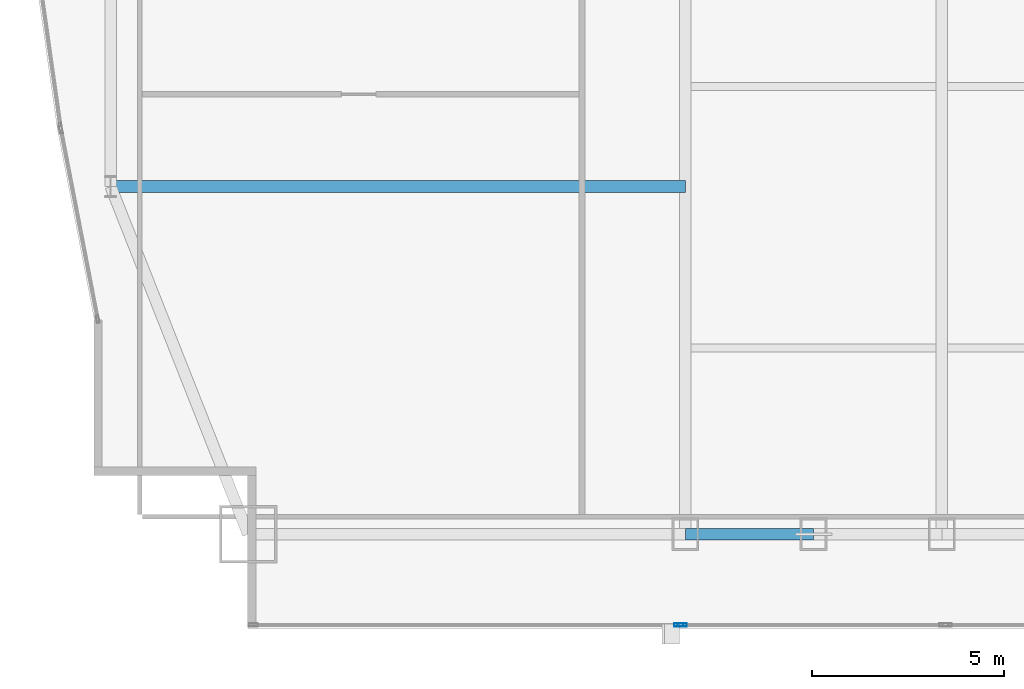
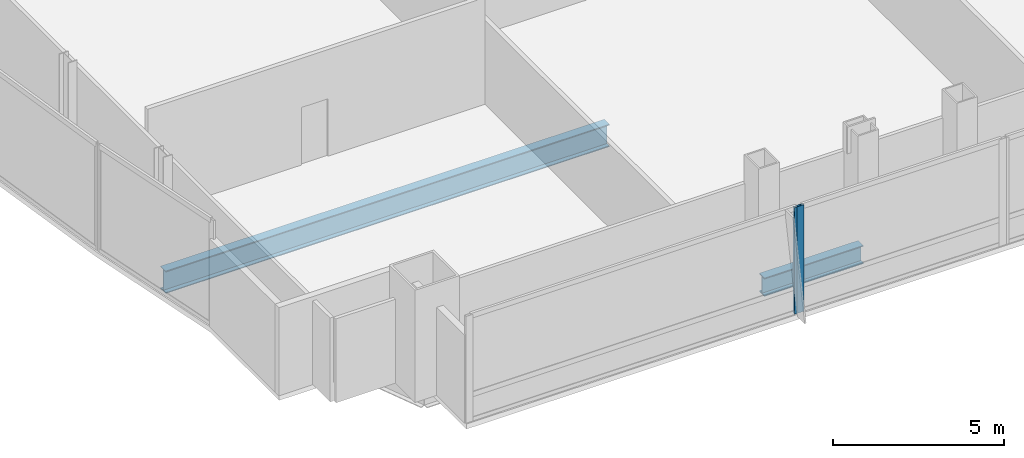
# One storey, part 7 of 34: 2 beams, 2 members, 2 elements without a shape of their own.
"""IFC4 building model written with IfcOpenShell, lengths in metres."""

from ifc_helpers import new_model, si_unit, direction, frame, origin, origin_2d, place, context, subcontext, project, spatial, hollow_rectangle, i_section, extrude, material, material_profile, profile_set, type_object, element, aggregate, save


model = new_model("IFC4")

# Units and contexts
model_context = context("Model", 3, precision=1e-05, world=origin(), true_north=direction((0.0, 1.0)))
body_context = subcontext(model_context, "Body", "Model", "MODEL_VIEW")
ifc_project = project(units=[si_unit("LENGTHUNIT", "METRE"), si_unit("AREAUNIT", "SQUARE_METRE"), si_unit("VOLUMEUNIT", "CUBIC_METRE"), si_unit("PLANEANGLEUNIT", "RADIAN"), si_unit("MASSUNIT", "GRAM", prefix="KILO")], contexts=[model_context])

# Site, building, storey
site_placement = place(None, origin())
site = spatial("IfcSite", under=ifc_project, at=site_placement, CompositionType="ELEMENT")
building_placement = place(site_placement, origin())
building = spatial("IfcBuilding", under=site, at=building_placement, Name="Khoronbel Lancet Exchange", CompositionType="ELEMENT")
storey_placement = place(building_placement, frame((0.0, 0.0, 102.60009765625)))
storey = spatial("IfcBuildingStorey", under=building, at=storey_placement, Name="L24", CompositionType="ELEMENT", Elevation=102.60009765625)

# Beams
ifc_material_1 = material(Name="Steel S355", Category="steel")
ifc_material_profile_1 = material_profile(ifc_material_1, i_section(OverallWidth=0.300048828125, OverallDepth=0.800048828125, WebThickness=0.017578125, FlangeThickness=0.032958984375, at=origin_2d()), Name="HEB 800")
ifc_profile_set_1 = profile_set([ifc_material_profile_1], Name="Steel S355")
beam_type_1 = type_object("IfcBeamType", Name="BM-BG2", PredefinedType="BEAM", material=ifc_profile_set_1)
beam_1_placement = place(storey_placement, frame((3.27001953125, 19.199951171875, -0.580078125), z_axis=(1.0, 0.0, 0.0), x_axis=(0.0, 1.0, 0.0)))
element("IfcBeam", 1, at=beam_1_placement, inside=storey, type_object=beam_type_1, Name="Level L24 west lens tie girder LG1W", PredefinedType="BEAM", context=body_context, shape_type="SweptSolid", body=[
    extrude(i_section(OverallWidth=0.300048828125, OverallDepth=0.800048828125, WebThickness=0.017578125, FlangeThickness=0.032958984375, at=origin_2d()), origin(), (0.0, 0.0, 1.0), 14.955078125),
])
ifc_material_profile_2 = material_profile(ifc_material_1, i_section(OverallWidth=0.300048828125, OverallDepth=0.64990234375, WebThickness=0.01611328125, FlangeThickness=0.031005859375, at=origin_2d()), Name="HEB 650")
ifc_profile_set_2 = profile_set([ifc_material_profile_2], Name="Steel S355")
beam_type_2 = type_object("IfcBeamType", Name="BM-BSP1", PredefinedType="SPANDREL", material=ifc_profile_set_2)
beam_2_placement = place(storey_placement, frame((18.22509765625, 10.14990234375, -0.505126953125), z_axis=(1.0, 0.0, 0.0), x_axis=(0.0, 1.0, 0.0)))
element("IfcBeam", 2, at=beam_2_placement, inside=storey, type_object=beam_type_2, Name="Level L24 perimeter spandrel beam SP02", PredefinedType="SPANDREL", context=body_context, shape_type="SweptSolid", body=[
    extrude(i_section(OverallWidth=0.300048828125, OverallDepth=0.64990234375, WebThickness=0.01611328125, FlangeThickness=0.031005859375, at=origin_2d()), origin(), (0.0, 0.0, 1.0), 3.33740234375),
])

# Curtain wall, member
ifc_material_2 = material(Name="Low-E Solar Control Insulating Glass", Category="glass")
curtain_wall_type = type_object("IfcCurtainWallType", Name="CW-2", PredefinedType="NOTDEFINED", material=ifc_material_2)
curtain_wall_1_placement = place(storey_placement, origin())
curtain_wall_1 = element("IfcCurtainWall", 3, at=curtain_wall_1_placement, inside=storey, type_object=curtain_wall_type, Name="Unitised curtain wall CW-L24-SWV", PredefinedType="NOTDEFINED")
ifc_material_3 = material(Name="Bronze-Anodised Aluminium 6063-T6", Category="aluminium")
ifc_material_profile_3 = material_profile(ifc_material_3, hollow_rectangle(XDim=0.0849609375, YDim=0.239990234375, WallThickness=0.006103515625, at=origin_2d()), Name="ALU MULLION 85x240")
ifc_profile_set_3 = profile_set([ifc_material_profile_3], Name="Bronze-Anodised Aluminium 6063-T6")
member_type = type_object("IfcMemberType", Name="MEM-CWM1", PredefinedType="MULLION", material=ifc_profile_set_3)
member_1_placement = place(storey_placement, frame((18.0576171875, 7.7900390625, 0.0), z_axis=(0.0, 0.0, 1.0), x_axis=(0.0, 1.0, 0.0)))
member_1 = element("IfcMember", 4, at=member_1_placement, type_object=member_type, Name="CW2 mullion 2", PredefinedType="MULLION", context=body_context, shape_type="SweptSolid", body=[
    extrude(hollow_rectangle(XDim=0.0849609375, YDim=0.239990234375, WallThickness=0.006103515625, at=origin_2d()), origin(), (0.0, 0.0, 1.0), 3.7998046875),
])
aggregate(curtain_wall_1, [member_1])

curtain_wall_2_placement = place(storey_placement, origin())
curtain_wall_2 = element("IfcCurtainWall", 5, at=curtain_wall_2_placement, inside=storey, type_object=curtain_wall_type, Name="Unitised curtain wall CW-L24-SWB", PredefinedType="NOTDEFINED")
member_2_placement = place(storey_placement, frame((18.142578125, 7.7900390625, 0.0), z_axis=(0.0, 0.0, 1.0), x_axis=(0.0, 1.0, 0.0)))
member_2 = element("IfcMember", 6, at=member_2_placement, type_object=member_type, Name="CW2 mullion 1", PredefinedType="MULLION", context=body_context, shape_type="SweptSolid", body=[
    extrude(hollow_rectangle(XDim=0.0849609375, YDim=0.239990234375, WallThickness=0.006103515625, at=origin_2d()), origin(), (0.0, 0.0, 1.0), 3.7998046875),
])
aggregate(curtain_wall_2, [member_2])

save(model, "model.ifc")
